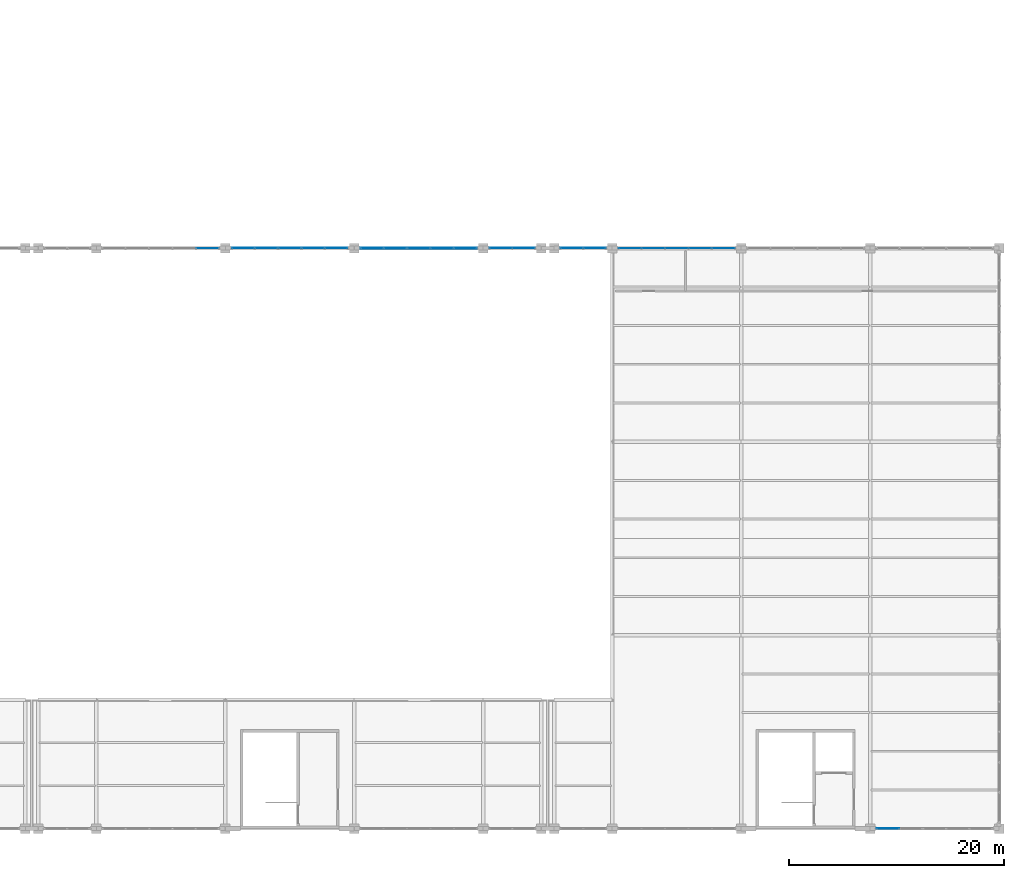
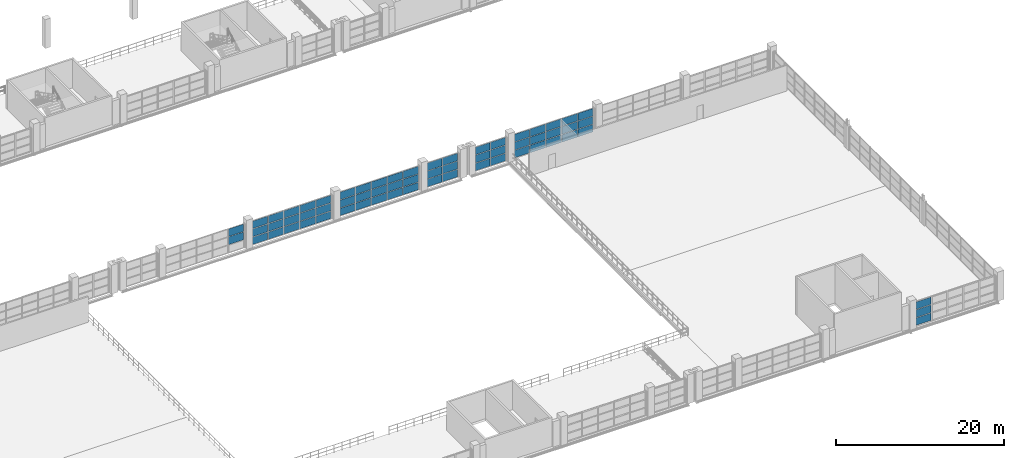
# One storey, part 131 of 158: 62 plates, 7 elements without a shape of their own.
"""IFC4 building model written with IfcOpenShell, lengths in metres."""

from ifc_helpers import new_model, si_unit, direction, frame, origin, origin_2d, place, context, subcontext, project, spatial, rectangle, extrude, material, layer, layer_set, type_object, element, aggregate, save


model = new_model("IFC4")

# Units and contexts
model_context = context("Model", 3, precision=1e-05, world=origin(), true_north=direction((0.0, 1.0)))
body_context = subcontext(model_context, "Body", "Model", "MODEL_VIEW")
ifc_project = project(units=[si_unit("LENGTHUNIT", "METRE"), si_unit("AREAUNIT", "SQUARE_METRE"), si_unit("VOLUMEUNIT", "CUBIC_METRE"), si_unit("PLANEANGLEUNIT", "RADIAN"), si_unit("MASSUNIT", "GRAM", prefix="KILO")], contexts=[model_context])

# Site, building, storey
site_placement = place(None, origin())
site = spatial("IfcSite", under=ifc_project, at=site_placement, CompositionType="ELEMENT")
building_placement = place(site_placement, origin())
building = spatial("IfcBuilding", under=site, at=building_placement, Name="Zilviju Railside Exhibition Hall", CompositionType="ELEMENT")
storey_placement = place(building_placement, frame((0.0, 0.0, 4.199951171875)))
storey = spatial("IfcBuildingStorey", under=building, at=storey_placement, Name="L02", CompositionType="ELEMENT", Elevation=4.199951171875)

# Curtain wall, plates
ifc_material_1 = material(Name="Thermally broken aluminium-steel triple-glazed curtain wall", Category="steel")
ifc_layer_1 = layer(ifc_material_1, 0.179931640625)
ifc_layer_set_1 = layer_set([ifc_layer_1], Name="Thermally broken aluminium-steel triple-glazed curtain wall")
curtain_wall_type_1 = type_object("IfcCurtainWallType", Name="CW-BAY-01", PredefinedType="USERDEFINED", material=ifc_layer_set_1)
curtain_wall_1_placement = place(storey_placement, origin())
curtain_wall_1 = element("IfcCurtainWall", 1, at=curtain_wall_1_placement, inside=storey, type_object=curtain_wall_type_1, Name="South Hall Garden Court Curtain Wall L02 (132..144)", ObjectType="GLAZED CURTAIN WALL", PredefinedType="USERDEFINED")
ifc_material_2 = material(Name="Laminated acoustic double-glazed porch unit", Category="glass")
ifc_layer_2 = layer(ifc_material_2, 0.031982421875)
ifc_layer_set_2 = layer_set([ifc_layer_2], Name="Laminated acoustic double-glazed porch unit")
plate_type_1 = type_object("IfcPlateType", Name="CWP-IGU-32", PredefinedType="CURTAIN_PANEL", material=ifc_layer_set_2)
plate_1_placement = place(storey_placement, frame((142.344970703125, 54.0, 1.217041015625), z_axis=(0.0, 0.0, 1.0), x_axis=(1.0, 0.0, 0.0)))
plate_1 = element("IfcPlate", 2, at=plate_1_placement, type_object=plate_type_1, Name="CW-01 panel 5.2", PredefinedType="CURTAIN_PANEL", context=body_context, shape_type="SweptSolid", body=[
    extrude(rectangle(XDim=2.090087890625, YDim=0.031982421875, at=origin_2d()), origin(), (0.0, 0.0, 1.0), 1.1259765625),
])
plate_2_placement = place(storey_placement, frame((142.344970703125, 54.0, 2.4033203125), z_axis=(0.0, 0.0, 1.0), x_axis=(1.0, 0.0, 0.0)))
plate_2 = element("IfcPlate", 3, at=plate_2_placement, type_object=plate_type_1, Name="CW-01 panel 5.3", PredefinedType="CURTAIN_PANEL", context=body_context, shape_type="SweptSolid", body=[
    extrude(rectangle(XDim=2.090087890625, YDim=0.031982421875, at=origin_2d()), origin(), (0.0, 0.0, 1.0), 1.096923828125),
])
aggregate(curtain_wall_1, [plate_1, plate_2])

ifc_layer_3 = layer(ifc_material_1, 0.179931640625)
ifc_layer_set_3 = layer_set([ifc_layer_3], Name="Thermally broken aluminium-steel triple-glazed curtain wall")
curtain_wall_type_2 = type_object("IfcCurtainWallType", Name="CW-BAY-06", PredefinedType="USERDEFINED", material=ifc_layer_set_3)
curtain_wall_2_placement = place(storey_placement, origin())
curtain_wall_2 = element("IfcCurtainWall", 4, at=curtain_wall_2_placement, inside=storey, type_object=curtain_wall_type_2, Name="South Hall Garden Court Curtain Wall L02 (180..192)", ObjectType="GLAZED CURTAIN WALL", PredefinedType="USERDEFINED")
ifc_material_3 = material(Name="Triple-glazed solar-control glass unit", Category="glass")
ifc_layer_4 = layer(ifc_material_3, 0.0380859375)
ifc_layer_set_4 = layer_set([ifc_layer_4], Name="Triple-glazed solar-control glass unit")
plate_type_2 = type_object("IfcPlateType", Name="CWP-IGU-38", PredefinedType="CURTAIN_PANEL", material=ifc_layer_set_4)
plate_3_placement = place(storey_placement, frame((181.65625, 54.0, 0.06494140625), z_axis=(0.0, 0.0, 1.0), x_axis=(1.0, 0.0, 0.0)))
plate_3 = element("IfcPlate", 5, at=plate_3_placement, type_object=plate_type_2, Name="CW-06 panel 1.1", PredefinedType="CURTAIN_PANEL", context=body_context, shape_type="SweptSolid", body=[
    extrude(rectangle(XDim=2.08251953125, YDim=0.0380859375, at=origin_2d()), origin(), (0.0, 0.0, 1.0), 1.089599609375),
])
plate_4_placement = place(storey_placement, frame((181.65625, 54.0, 1.219482421875), z_axis=(0.0, 0.0, 1.0), x_axis=(1.0, 0.0, 0.0)))
plate_4 = element("IfcPlate", 6, at=plate_4_placement, type_object=plate_type_2, Name="CW-06 panel 1.2", PredefinedType="CURTAIN_PANEL", context=body_context, shape_type="SweptSolid", body=[
    extrude(rectangle(XDim=2.08251953125, YDim=0.0380859375, at=origin_2d()), origin(), (0.0, 0.0, 1.0), 1.12109375),
])
plate_5_placement = place(storey_placement, frame((181.65625, 54.0, 2.4052734375), z_axis=(0.0, 0.0, 1.0), x_axis=(1.0, 0.0, 0.0)))
plate_5 = element("IfcPlate", 7, at=plate_5_placement, type_object=plate_type_2, Name="CW-06 panel 1.3", PredefinedType="CURTAIN_PANEL", context=body_context, shape_type="SweptSolid", body=[
    extrude(rectangle(XDim=2.08251953125, YDim=0.0380859375, at=origin_2d()), origin(), (0.0, 0.0, 1.0), 1.089599609375),
])
plate_6_placement = place(storey_placement, frame((183.820068359375, 54.0, 0.06494140625), z_axis=(0.0, 0.0, 1.0), x_axis=(1.0, 0.0, 0.0)))
plate_6 = element("IfcPlate", 8, at=plate_6_placement, type_object=plate_type_2, Name="CW-06 panel 2.1", PredefinedType="CURTAIN_PANEL", context=body_context, shape_type="SweptSolid", body=[
    extrude(rectangle(XDim=2.114990234375, YDim=0.0380859375, at=origin_2d()), origin(), (0.0, 0.0, 1.0), 1.089599609375),
])
plate_7_placement = place(storey_placement, frame((183.820068359375, 54.0, 1.219482421875), z_axis=(0.0, 0.0, 1.0), x_axis=(1.0, 0.0, 0.0)))
plate_7 = element("IfcPlate", 9, at=plate_7_placement, type_object=plate_type_2, Name="CW-06 panel 2.2", PredefinedType="CURTAIN_PANEL", context=body_context, shape_type="SweptSolid", body=[
    extrude(rectangle(XDim=2.114990234375, YDim=0.0380859375, at=origin_2d()), origin(), (0.0, 0.0, 1.0), 1.12109375),
])
plate_8_placement = place(storey_placement, frame((183.820068359375, 54.0, 2.4052734375), z_axis=(0.0, 0.0, 1.0), x_axis=(1.0, 0.0, 0.0)))
plate_8 = element("IfcPlate", 10, at=plate_8_placement, type_object=plate_type_2, Name="CW-06 panel 2.3", PredefinedType="CURTAIN_PANEL", context=body_context, shape_type="SweptSolid", body=[
    extrude(rectangle(XDim=2.114990234375, YDim=0.0380859375, at=origin_2d()), origin(), (0.0, 0.0, 1.0), 1.089599609375),
])
plate_9_placement = place(storey_placement, frame((186.0, 54.0, 0.06494140625), z_axis=(0.0, 0.0, 1.0), x_axis=(1.0, 0.0, 0.0)))
plate_9 = element("IfcPlate", 11, at=plate_9_placement, type_object=plate_type_2, Name="CW-06 panel 3.1", PredefinedType="CURTAIN_PANEL", context=body_context, shape_type="SweptSolid", body=[
    extrude(rectangle(XDim=2.114990234375, YDim=0.0380859375, at=origin_2d()), origin(), (0.0, 0.0, 1.0), 1.089599609375),
])
plate_10_placement = place(storey_placement, frame((186.0, 54.0, 1.219482421875), z_axis=(0.0, 0.0, 1.0), x_axis=(1.0, 0.0, 0.0)))
plate_10 = element("IfcPlate", 12, at=plate_10_placement, type_object=plate_type_2, Name="CW-06 panel 3.2", PredefinedType="CURTAIN_PANEL", context=body_context, shape_type="SweptSolid", body=[
    extrude(rectangle(XDim=2.114990234375, YDim=0.0380859375, at=origin_2d()), origin(), (0.0, 0.0, 1.0), 1.12109375),
])
plate_11_placement = place(storey_placement, frame((186.0, 54.0, 2.4052734375), z_axis=(0.0, 0.0, 1.0), x_axis=(1.0, 0.0, 0.0)))
plate_11 = element("IfcPlate", 13, at=plate_11_placement, type_object=plate_type_2, Name="CW-06 panel 3.3", PredefinedType="CURTAIN_PANEL", context=body_context, shape_type="SweptSolid", body=[
    extrude(rectangle(XDim=2.114990234375, YDim=0.0380859375, at=origin_2d()), origin(), (0.0, 0.0, 1.0), 1.089599609375),
])
plate_12_placement = place(storey_placement, frame((188.179931640625, 54.0, 0.06494140625), z_axis=(0.0, 0.0, 1.0), x_axis=(1.0, 0.0, 0.0)))
plate_12 = element("IfcPlate", 14, at=plate_12_placement, type_object=plate_type_2, Name="CW-06 panel 4.1", PredefinedType="CURTAIN_PANEL", context=body_context, shape_type="SweptSolid", body=[
    extrude(rectangle(XDim=2.114990234375, YDim=0.0380859375, at=origin_2d()), origin(), (0.0, 0.0, 1.0), 1.089599609375),
])
plate_13_placement = place(storey_placement, frame((188.179931640625, 54.0, 1.219482421875), z_axis=(0.0, 0.0, 1.0), x_axis=(1.0, 0.0, 0.0)))
plate_13 = element("IfcPlate", 15, at=plate_13_placement, type_object=plate_type_2, Name="CW-06 panel 4.2", PredefinedType="CURTAIN_PANEL", context=body_context, shape_type="SweptSolid", body=[
    extrude(rectangle(XDim=2.114990234375, YDim=0.0380859375, at=origin_2d()), origin(), (0.0, 0.0, 1.0), 1.12109375),
])
plate_14_placement = place(storey_placement, frame((188.179931640625, 54.0, 2.4052734375), z_axis=(0.0, 0.0, 1.0), x_axis=(1.0, 0.0, 0.0)))
plate_14 = element("IfcPlate", 16, at=plate_14_placement, type_object=plate_type_2, Name="CW-06 panel 4.3", PredefinedType="CURTAIN_PANEL", context=body_context, shape_type="SweptSolid", body=[
    extrude(rectangle(XDim=2.114990234375, YDim=0.0380859375, at=origin_2d()), origin(), (0.0, 0.0, 1.0), 1.089599609375),
])
plate_15_placement = place(storey_placement, frame((190.34375, 54.0, 0.06494140625), z_axis=(0.0, 0.0, 1.0), x_axis=(1.0, 0.0, 0.0)))
plate_15 = element("IfcPlate", 17, at=plate_15_placement, type_object=plate_type_2, Name="CW-06 panel 5.1", PredefinedType="CURTAIN_PANEL", context=body_context, shape_type="SweptSolid", body=[
    extrude(rectangle(XDim=2.08251953125, YDim=0.0380859375, at=origin_2d()), origin(), (0.0, 0.0, 1.0), 1.089599609375),
])
plate_16_placement = place(storey_placement, frame((190.34375, 54.0, 1.219482421875), z_axis=(0.0, 0.0, 1.0), x_axis=(1.0, 0.0, 0.0)))
plate_16 = element("IfcPlate", 18, at=plate_16_placement, type_object=plate_type_2, Name="CW-06 panel 5.2", PredefinedType="CURTAIN_PANEL", context=body_context, shape_type="SweptSolid", body=[
    extrude(rectangle(XDim=2.08251953125, YDim=0.0380859375, at=origin_2d()), origin(), (0.0, 0.0, 1.0), 1.12109375),
])
plate_17_placement = place(storey_placement, frame((190.34375, 54.0, 2.4052734375), z_axis=(0.0, 0.0, 1.0), x_axis=(1.0, 0.0, 0.0)))
plate_17 = element("IfcPlate", 19, at=plate_17_placement, type_object=plate_type_2, Name="CW-06 panel 5.3", PredefinedType="CURTAIN_PANEL", context=body_context, shape_type="SweptSolid", body=[
    extrude(rectangle(XDim=2.08251953125, YDim=0.0380859375, at=origin_2d()), origin(), (0.0, 0.0, 1.0), 1.089599609375),
])
aggregate(curtain_wall_2, [plate_3, plate_4, plate_5, plate_6, plate_7, plate_8, plate_9, plate_10, plate_11, plate_12, plate_13, plate_14, plate_15, plate_16, plate_17])

ifc_layer_5 = layer(ifc_material_1, 0.179931640625)
ifc_layer_set_5 = layer_set([ifc_layer_5], Name="Thermally broken aluminium-steel triple-glazed curtain wall")
curtain_wall_type_3 = type_object("IfcCurtainWallType", Name="CW-BAY-04", PredefinedType="USERDEFINED", material=ifc_layer_set_5)
curtain_wall_3_placement = place(storey_placement, origin())
curtain_wall_3 = element("IfcCurtainWall", 20, at=curtain_wall_3_placement, inside=storey, type_object=curtain_wall_type_3, Name="South Hall Garden Court Curtain Wall L02 (168..173)", ObjectType="GLAZED CURTAIN WALL", PredefinedType="USERDEFINED")
ifc_material_4 = material(Name="Triple-glazed low-E argon insulating glass unit", Category="glass")
ifc_layer_6 = layer(ifc_material_4, 0.0439453125)
ifc_layer_set_6 = layer_set([ifc_layer_6], Name="Triple-glazed low-E argon insulating glass unit")
plate_type_3 = type_object("IfcPlateType", Name="CWP-IGU-44", PredefinedType="CURTAIN_PANEL", material=ifc_layer_set_6)
plate_18_placement = place(storey_placement, frame((169.638671875, 54.0, 0.054931640625), z_axis=(0.0, 0.0, 1.0), x_axis=(1.0, 0.0, 0.0)))
plate_18 = element("IfcPlate", 21, at=plate_18_placement, type_object=plate_type_3, Name="CW-04 panel 1.1", PredefinedType="CURTAIN_PANEL", context=body_context, shape_type="SweptSolid", body=[
    extrude(rectangle(XDim=2.0673828125, YDim=0.0439453125, at=origin_2d()), origin(), (0.0, 0.0, 1.0), 1.1044921875),
])
plate_19_placement = place(storey_placement, frame((169.638671875, 54.0, 1.21435546875), z_axis=(0.0, 0.0, 1.0), x_axis=(1.0, 0.0, 0.0)))
plate_19 = element("IfcPlate", 22, at=plate_19_placement, type_object=plate_type_3, Name="CW-04 panel 1.2", PredefinedType="CURTAIN_PANEL", context=body_context, shape_type="SweptSolid", body=[
    extrude(rectangle(XDim=2.0673828125, YDim=0.0439453125, at=origin_2d()), origin(), (0.0, 0.0, 1.0), 1.131103515625),
])
plate_20_placement = place(storey_placement, frame((169.638671875, 54.0, 2.400634765625), z_axis=(0.0, 0.0, 1.0), x_axis=(1.0, 0.0, 0.0)))
plate_20 = element("IfcPlate", 23, at=plate_20_placement, type_object=plate_type_3, Name="CW-04 panel 1.3", PredefinedType="CURTAIN_PANEL", context=body_context, shape_type="SweptSolid", body=[
    extrude(rectangle(XDim=2.0673828125, YDim=0.0439453125, at=origin_2d()), origin(), (0.0, 0.0, 1.0), 1.1044921875),
])
plate_21_placement = place(storey_placement, frame((171.76123046875, 54.0, 0.054931640625), z_axis=(0.0, 0.0, 1.0), x_axis=(1.0, 0.0, 0.0)))
plate_21 = element("IfcPlate", 24, at=plate_21_placement, type_object=plate_type_3, Name="CW-04 panel 2.1", PredefinedType="CURTAIN_PANEL", context=body_context, shape_type="SweptSolid", body=[
    extrude(rectangle(XDim=2.0673828125, YDim=0.0439453125, at=origin_2d()), origin(), (0.0, 0.0, 1.0), 1.1044921875),
])
plate_22_placement = place(storey_placement, frame((171.76123046875, 54.0, 1.21435546875), z_axis=(0.0, 0.0, 1.0), x_axis=(1.0, 0.0, 0.0)))
plate_22 = element("IfcPlate", 25, at=plate_22_placement, type_object=plate_type_3, Name="CW-04 panel 2.2", PredefinedType="CURTAIN_PANEL", context=body_context, shape_type="SweptSolid", body=[
    extrude(rectangle(XDim=2.0673828125, YDim=0.0439453125, at=origin_2d()), origin(), (0.0, 0.0, 1.0), 1.131103515625),
])
plate_23_placement = place(storey_placement, frame((171.76123046875, 54.0, 2.400634765625), z_axis=(0.0, 0.0, 1.0), x_axis=(1.0, 0.0, 0.0)))
plate_23 = element("IfcPlate", 26, at=plate_23_placement, type_object=plate_type_3, Name="CW-04 panel 2.3", PredefinedType="CURTAIN_PANEL", context=body_context, shape_type="SweptSolid", body=[
    extrude(rectangle(XDim=2.0673828125, YDim=0.0439453125, at=origin_2d()), origin(), (0.0, 0.0, 1.0), 1.1044921875),
])
aggregate(curtain_wall_3, [plate_18, plate_19, plate_20, plate_21, plate_22, plate_23])

ifc_layer_7 = layer(ifc_material_1, 0.179931640625)
ifc_layer_set_7 = layer_set([ifc_layer_7], Name="Thermally broken aluminium-steel triple-glazed curtain wall")
curtain_wall_type_4 = type_object("IfcCurtainWallType", Name="CW-BAY-05", PredefinedType="USERDEFINED", material=ifc_layer_set_7)
curtain_wall_4_placement = place(storey_placement, origin())
curtain_wall_4 = element("IfcCurtainWall", 27, at=curtain_wall_4_placement, inside=storey, type_object=curtain_wall_type_4, Name="South Hall Garden Court Curtain Wall L02 (175..180)", ObjectType="GLAZED CURTAIN WALL", PredefinedType="USERDEFINED")
plate_24_placement = place(storey_placement, frame((176.242431640625, 54.0, 0.070068359375), z_axis=(0.0, 0.0, 1.0), x_axis=(1.0, 0.0, 0.0)))
plate_24 = element("IfcPlate", 28, at=plate_24_placement, type_object=plate_type_3, Name="CW-05 panel 1.1", PredefinedType="CURTAIN_PANEL", context=body_context, shape_type="SweptSolid", body=[
    extrude(rectangle(XDim=2.044921875, YDim=0.0439453125, at=origin_2d()), origin(), (0.0, 0.0, 1.0), 1.08203125),
])
plate_25_placement = place(storey_placement, frame((176.242431640625, 54.0, 1.22216796875), z_axis=(0.0, 0.0, 1.0), x_axis=(1.0, 0.0, 0.0)))
plate_25 = element("IfcPlate", 29, at=plate_25_placement, type_object=plate_type_3, Name="CW-05 panel 1.2", PredefinedType="CURTAIN_PANEL", context=body_context, shape_type="SweptSolid", body=[
    extrude(rectangle(XDim=2.044921875, YDim=0.0439453125, at=origin_2d()), origin(), (0.0, 0.0, 1.0), 1.115966796875),
])
plate_26_placement = place(storey_placement, frame((176.242431640625, 54.0, 2.407958984375), z_axis=(0.0, 0.0, 1.0), x_axis=(1.0, 0.0, 0.0)))
plate_26 = element("IfcPlate", 30, at=plate_26_placement, type_object=plate_type_3, Name="CW-05 panel 1.3", PredefinedType="CURTAIN_PANEL", context=body_context, shape_type="SweptSolid", body=[
    extrude(rectangle(XDim=2.044921875, YDim=0.0439453125, at=origin_2d()), origin(), (0.0, 0.0, 1.0), 1.08203125),
])
plate_27_placement = place(storey_placement, frame((178.357421875, 54.0, 0.070068359375), z_axis=(0.0, 0.0, 1.0), x_axis=(1.0, 0.0, 0.0)))
plate_27 = element("IfcPlate", 31, at=plate_27_placement, type_object=plate_type_3, Name="CW-05 panel 2.1", PredefinedType="CURTAIN_PANEL", context=body_context, shape_type="SweptSolid", body=[
    extrude(rectangle(XDim=2.044921875, YDim=0.0439453125, at=origin_2d()), origin(), (0.0, 0.0, 1.0), 1.08203125),
])
plate_28_placement = place(storey_placement, frame((178.357421875, 54.0, 1.22216796875), z_axis=(0.0, 0.0, 1.0), x_axis=(1.0, 0.0, 0.0)))
plate_28 = element("IfcPlate", 32, at=plate_28_placement, type_object=plate_type_3, Name="CW-05 panel 2.2", PredefinedType="CURTAIN_PANEL", context=body_context, shape_type="SweptSolid", body=[
    extrude(rectangle(XDim=2.044921875, YDim=0.0439453125, at=origin_2d()), origin(), (0.0, 0.0, 1.0), 1.115966796875),
])
plate_29_placement = place(storey_placement, frame((178.357421875, 54.0, 2.407958984375), z_axis=(0.0, 0.0, 1.0), x_axis=(1.0, 0.0, 0.0)))
plate_29 = element("IfcPlate", 33, at=plate_29_placement, type_object=plate_type_3, Name="CW-05 panel 2.3", PredefinedType="CURTAIN_PANEL", context=body_context, shape_type="SweptSolid", body=[
    extrude(rectangle(XDim=2.044921875, YDim=0.0439453125, at=origin_2d()), origin(), (0.0, 0.0, 1.0), 1.08203125),
])
aggregate(curtain_wall_4, [plate_24, plate_25, plate_26, plate_27, plate_28, plate_29])

ifc_layer_8 = layer(ifc_material_1, 0.179931640625)
ifc_layer_set_8 = layer_set([ifc_layer_8], Name="Thermally broken aluminium-steel triple-glazed curtain wall")
curtain_wall_type_5 = type_object("IfcCurtainWallType", Name="CW-BAY-16", PredefinedType="USERDEFINED", material=ifc_layer_set_8)
curtain_wall_5_placement = place(storey_placement, origin())
curtain_wall_5 = element("IfcCurtainWall", 34, at=curtain_wall_5_placement, inside=storey, type_object=curtain_wall_type_5, Name="South Hall Facade Curtain Wall L02 (204..216)", ObjectType="GLAZED CURTAIN WALL", PredefinedType="USERDEFINED")
ifc_material_5 = material(Name="Insulated cobalt-blue enamelled spandrel glass panel", Category="glass")
ifc_layer_9 = layer(ifc_material_5, 0.052001953125)
ifc_layer_set_9 = layer_set([ifc_layer_9], Name="Insulated cobalt-blue enamelled spandrel glass panel")
plate_type_4 = type_object("IfcPlateType", Name="CWP-SPD-52", PredefinedType="CURTAIN_PANEL", material=ifc_layer_set_9)
plate_30_placement = place(storey_placement, frame((205.659912109375, 0.0, 0.080078125), z_axis=(0.0, 0.0, 1.0), x_axis=(-1.0, 0.0, 0.0)))
plate_30 = element("IfcPlate", 35, at=plate_30_placement, type_object=plate_type_4, Name="CW-16 panel 5.1", PredefinedType="CURTAIN_PANEL", context=body_context, shape_type="SweptSolid", body=[
    extrude(rectangle(XDim=2.06005859375, YDim=0.052001953125, at=origin_2d()), origin(), (0.0, 0.0, 1.0), 1.06689453125),
])
plate_31_placement = place(storey_placement, frame((205.659912109375, 0.0, 1.22705078125), z_axis=(0.0, 0.0, 1.0), x_axis=(-1.0, 0.0, 0.0)))
plate_31 = element("IfcPlate", 36, at=plate_31_placement, type_object=plate_type_4, Name="CW-16 panel 5.2", PredefinedType="CURTAIN_PANEL", context=body_context, shape_type="SweptSolid", body=[
    extrude(rectangle(XDim=2.06005859375, YDim=0.052001953125, at=origin_2d()), origin(), (0.0, 0.0, 1.0), 1.10595703125),
])
plate_32_placement = place(storey_placement, frame((205.659912109375, 0.0, 2.4130859375), z_axis=(0.0, 0.0, 1.0), x_axis=(-1.0, 0.0, 0.0)))
plate_32 = element("IfcPlate", 37, at=plate_32_placement, type_object=plate_type_4, Name="CW-16 panel 5.3", PredefinedType="CURTAIN_PANEL", context=body_context, shape_type="SweptSolid", body=[
    extrude(rectangle(XDim=2.06005859375, YDim=0.052001953125, at=origin_2d()), origin(), (0.0, 0.0, 1.0), 1.06689453125),
])
aggregate(curtain_wall_5, [plate_30, plate_31, plate_32])

ifc_layer_10 = layer(ifc_material_1, 0.179931640625)
ifc_layer_set_10 = layer_set([ifc_layer_10], Name="Thermally broken aluminium-steel triple-glazed curtain wall")
curtain_wall_type_6 = type_object("IfcCurtainWallType", Name="CW-BAY-02", PredefinedType="USERDEFINED", material=ifc_layer_set_10)
curtain_wall_6_placement = place(storey_placement, origin())
curtain_wall_6 = element("IfcCurtainWall", 38, at=curtain_wall_6_placement, inside=storey, type_object=curtain_wall_type_6, Name="South Hall Garden Court Curtain Wall L02 (144..156)", ObjectType="GLAZED CURTAIN WALL", PredefinedType="USERDEFINED")
plate_33_placement = place(storey_placement, frame((145.659912109375, 54.0, 0.080078125), z_axis=(0.0, 0.0, 1.0), x_axis=(1.0, 0.0, 0.0)))
plate_33 = element("IfcPlate", 39, at=plate_33_placement, type_object=plate_type_4, Name="CW-02 panel 1.1", PredefinedType="CURTAIN_PANEL", context=body_context, shape_type="SweptSolid", body=[
    extrude(rectangle(XDim=2.06005859375, YDim=0.052001953125, at=origin_2d()), origin(), (0.0, 0.0, 1.0), 1.06689453125),
])
plate_34_placement = place(storey_placement, frame((145.659912109375, 54.0, 1.22705078125), z_axis=(0.0, 0.0, 1.0), x_axis=(1.0, 0.0, 0.0)))
plate_34 = element("IfcPlate", 40, at=plate_34_placement, type_object=plate_type_4, Name="CW-02 panel 1.2", PredefinedType="CURTAIN_PANEL", context=body_context, shape_type="SweptSolid", body=[
    extrude(rectangle(XDim=2.06005859375, YDim=0.052001953125, at=origin_2d()), origin(), (0.0, 0.0, 1.0), 1.10595703125),
])
plate_35_placement = place(storey_placement, frame((145.659912109375, 54.0, 2.4130859375), z_axis=(0.0, 0.0, 1.0), x_axis=(1.0, 0.0, 0.0)))
plate_35 = element("IfcPlate", 41, at=plate_35_placement, type_object=plate_type_4, Name="CW-02 panel 1.3", PredefinedType="CURTAIN_PANEL", context=body_context, shape_type="SweptSolid", body=[
    extrude(rectangle(XDim=2.06005859375, YDim=0.052001953125, at=origin_2d()), origin(), (0.0, 0.0, 1.0), 1.06689453125),
])
plate_36_placement = place(storey_placement, frame((147.820068359375, 54.0, 0.080078125), z_axis=(0.0, 0.0, 1.0), x_axis=(1.0, 0.0, 0.0)))
plate_36 = element("IfcPlate", 42, at=plate_36_placement, type_object=plate_type_4, Name="CW-02 panel 2.1", PredefinedType="CURTAIN_PANEL", context=body_context, shape_type="SweptSolid", body=[
    extrude(rectangle(XDim=2.10009765625, YDim=0.052001953125, at=origin_2d()), origin(), (0.0, 0.0, 1.0), 1.06689453125),
])
plate_37_placement = place(storey_placement, frame((147.820068359375, 54.0, 1.22705078125), z_axis=(0.0, 0.0, 1.0), x_axis=(1.0, 0.0, 0.0)))
plate_37 = element("IfcPlate", 43, at=plate_37_placement, type_object=plate_type_4, Name="CW-02 panel 2.2", PredefinedType="CURTAIN_PANEL", context=body_context, shape_type="SweptSolid", body=[
    extrude(rectangle(XDim=2.10009765625, YDim=0.052001953125, at=origin_2d()), origin(), (0.0, 0.0, 1.0), 1.10595703125),
])
plate_38_placement = place(storey_placement, frame((147.820068359375, 54.0, 2.4130859375), z_axis=(0.0, 0.0, 1.0), x_axis=(1.0, 0.0, 0.0)))
plate_38 = element("IfcPlate", 44, at=plate_38_placement, type_object=plate_type_4, Name="CW-02 panel 2.3", PredefinedType="CURTAIN_PANEL", context=body_context, shape_type="SweptSolid", body=[
    extrude(rectangle(XDim=2.10009765625, YDim=0.052001953125, at=origin_2d()), origin(), (0.0, 0.0, 1.0), 1.06689453125),
])
plate_39_placement = place(storey_placement, frame((150.0, 54.0, 0.080078125), z_axis=(0.0, 0.0, 1.0), x_axis=(1.0, 0.0, 0.0)))
plate_39 = element("IfcPlate", 45, at=plate_39_placement, type_object=plate_type_4, Name="CW-02 panel 3.1", PredefinedType="CURTAIN_PANEL", context=body_context, shape_type="SweptSolid", body=[
    extrude(rectangle(XDim=2.10009765625, YDim=0.052001953125, at=origin_2d()), origin(), (0.0, 0.0, 1.0), 1.06689453125),
])
plate_40_placement = place(storey_placement, frame((150.0, 54.0, 1.22705078125), z_axis=(0.0, 0.0, 1.0), x_axis=(1.0, 0.0, 0.0)))
plate_40 = element("IfcPlate", 46, at=plate_40_placement, type_object=plate_type_4, Name="CW-02 panel 3.2", PredefinedType="CURTAIN_PANEL", context=body_context, shape_type="SweptSolid", body=[
    extrude(rectangle(XDim=2.10009765625, YDim=0.052001953125, at=origin_2d()), origin(), (0.0, 0.0, 1.0), 1.10595703125),
])
plate_41_placement = place(storey_placement, frame((150.0, 54.0, 2.4130859375), z_axis=(0.0, 0.0, 1.0), x_axis=(1.0, 0.0, 0.0)))
plate_41 = element("IfcPlate", 47, at=plate_41_placement, type_object=plate_type_4, Name="CW-02 panel 3.3", PredefinedType="CURTAIN_PANEL", context=body_context, shape_type="SweptSolid", body=[
    extrude(rectangle(XDim=2.10009765625, YDim=0.052001953125, at=origin_2d()), origin(), (0.0, 0.0, 1.0), 1.06689453125),
])
plate_42_placement = place(storey_placement, frame((152.179931640625, 54.0, 0.080078125), z_axis=(0.0, 0.0, 1.0), x_axis=(1.0, 0.0, 0.0)))
plate_42 = element("IfcPlate", 48, at=plate_42_placement, type_object=plate_type_4, Name="CW-02 panel 4.1", PredefinedType="CURTAIN_PANEL", context=body_context, shape_type="SweptSolid", body=[
    extrude(rectangle(XDim=2.10009765625, YDim=0.052001953125, at=origin_2d()), origin(), (0.0, 0.0, 1.0), 1.06689453125),
])
plate_43_placement = place(storey_placement, frame((152.179931640625, 54.0, 1.22705078125), z_axis=(0.0, 0.0, 1.0), x_axis=(1.0, 0.0, 0.0)))
plate_43 = element("IfcPlate", 49, at=plate_43_placement, type_object=plate_type_4, Name="CW-02 panel 4.2", PredefinedType="CURTAIN_PANEL", context=body_context, shape_type="SweptSolid", body=[
    extrude(rectangle(XDim=2.10009765625, YDim=0.052001953125, at=origin_2d()), origin(), (0.0, 0.0, 1.0), 1.10595703125),
])
plate_44_placement = place(storey_placement, frame((152.179931640625, 54.0, 2.4130859375), z_axis=(0.0, 0.0, 1.0), x_axis=(1.0, 0.0, 0.0)))
plate_44 = element("IfcPlate", 50, at=plate_44_placement, type_object=plate_type_4, Name="CW-02 panel 4.3", PredefinedType="CURTAIN_PANEL", context=body_context, shape_type="SweptSolid", body=[
    extrude(rectangle(XDim=2.10009765625, YDim=0.052001953125, at=origin_2d()), origin(), (0.0, 0.0, 1.0), 1.06689453125),
])
plate_45_placement = place(storey_placement, frame((154.340087890625, 54.0, 0.080078125), z_axis=(0.0, 0.0, 1.0), x_axis=(1.0, 0.0, 0.0)))
plate_45 = element("IfcPlate", 51, at=plate_45_placement, type_object=plate_type_4, Name="CW-02 panel 5.1", PredefinedType="CURTAIN_PANEL", context=body_context, shape_type="SweptSolid", body=[
    extrude(rectangle(XDim=2.06005859375, YDim=0.052001953125, at=origin_2d()), origin(), (0.0, 0.0, 1.0), 1.06689453125),
])
plate_46_placement = place(storey_placement, frame((154.340087890625, 54.0, 1.22705078125), z_axis=(0.0, 0.0, 1.0), x_axis=(1.0, 0.0, 0.0)))
plate_46 = element("IfcPlate", 52, at=plate_46_placement, type_object=plate_type_4, Name="CW-02 panel 5.2", PredefinedType="CURTAIN_PANEL", context=body_context, shape_type="SweptSolid", body=[
    extrude(rectangle(XDim=2.06005859375, YDim=0.052001953125, at=origin_2d()), origin(), (0.0, 0.0, 1.0), 1.10595703125),
])
plate_47_placement = place(storey_placement, frame((154.340087890625, 54.0, 2.4130859375), z_axis=(0.0, 0.0, 1.0), x_axis=(1.0, 0.0, 0.0)))
plate_47 = element("IfcPlate", 53, at=plate_47_placement, type_object=plate_type_4, Name="CW-02 panel 5.3", PredefinedType="CURTAIN_PANEL", context=body_context, shape_type="SweptSolid", body=[
    extrude(rectangle(XDim=2.06005859375, YDim=0.052001953125, at=origin_2d()), origin(), (0.0, 0.0, 1.0), 1.06689453125),
])
aggregate(curtain_wall_6, [plate_33, plate_34, plate_35, plate_36, plate_37, plate_38, plate_39, plate_40, plate_41, plate_42, plate_43, plate_44, plate_45, plate_46, plate_47])

ifc_layer_11 = layer(ifc_material_1, 0.179931640625)
ifc_layer_set_11 = layer_set([ifc_layer_11], Name="Thermally broken aluminium-steel triple-glazed curtain wall")
curtain_wall_type_7 = type_object("IfcCurtainWallType", Name="CW-BAY-03", PredefinedType="USERDEFINED", material=ifc_layer_set_11)
curtain_wall_7_placement = place(storey_placement, origin())
curtain_wall_7 = element("IfcCurtainWall", 54, at=curtain_wall_7_placement, inside=storey, type_object=curtain_wall_type_7, Name="South Hall Garden Court Curtain Wall L02 (156..168)", ObjectType="GLAZED CURTAIN WALL", PredefinedType="USERDEFINED")
ifc_material_6 = material(Name="Insulated emerald ceramic-frit spandrel panel", Category="glass")
ifc_layer_12 = layer(ifc_material_6, 0.06396484375)
ifc_layer_set_12 = layer_set([ifc_layer_12], Name="Insulated emerald ceramic-frit spandrel panel")
plate_type_5 = type_object("IfcPlateType", Name="CWP-SPD-64", PredefinedType="CURTAIN_PANEL", material=ifc_layer_set_12)
plate_48_placement = place(storey_placement, frame((157.65869140625, 54.0, 0.0751953125), z_axis=(0.0, 0.0, 1.0), x_axis=(1.0, 0.0, 0.0)))
plate_48 = element("IfcPlate", 55, at=plate_48_placement, type_object=plate_type_5, Name="CW-03 panel 1.1", PredefinedType="CURTAIN_PANEL", context=body_context, shape_type="SweptSolid", body=[
    extrude(rectangle(XDim=2.0673828125, YDim=0.06396484375, at=origin_2d()), origin(), (0.0, 0.0, 1.0), 1.074462890625),
])
plate_49_placement = place(storey_placement, frame((157.65869140625, 54.0, 1.224609375), z_axis=(0.0, 0.0, 1.0), x_axis=(1.0, 0.0, 0.0)))
plate_49 = element("IfcPlate", 56, at=plate_49_placement, type_object=plate_type_5, Name="CW-03 panel 1.2", PredefinedType="CURTAIN_PANEL", context=body_context, shape_type="SweptSolid", body=[
    extrude(rectangle(XDim=2.0673828125, YDim=0.06396484375, at=origin_2d()), origin(), (0.0, 0.0, 1.0), 1.111083984375),
])
plate_50_placement = place(storey_placement, frame((157.65869140625, 54.0, 2.41064453125), z_axis=(0.0, 0.0, 1.0), x_axis=(1.0, 0.0, 0.0)))
plate_50 = element("IfcPlate", 57, at=plate_50_placement, type_object=plate_type_5, Name="CW-03 panel 1.3", PredefinedType="CURTAIN_PANEL", context=body_context, shape_type="SweptSolid", body=[
    extrude(rectangle(XDim=2.0673828125, YDim=0.06396484375, at=origin_2d()), origin(), (0.0, 0.0, 1.0), 1.074462890625),
])
plate_51_placement = place(storey_placement, frame((159.820068359375, 54.0, 0.0751953125), z_axis=(0.0, 0.0, 1.0), x_axis=(1.0, 0.0, 0.0)))
plate_51 = element("IfcPlate", 58, at=plate_51_placement, type_object=plate_type_5, Name="CW-03 panel 2.1", PredefinedType="CURTAIN_PANEL", context=body_context, shape_type="SweptSolid", body=[
    extrude(rectangle(XDim=2.10498046875, YDim=0.06396484375, at=origin_2d()), origin(), (0.0, 0.0, 1.0), 1.074462890625),
])
plate_52_placement = place(storey_placement, frame((159.820068359375, 54.0, 1.224609375), z_axis=(0.0, 0.0, 1.0), x_axis=(1.0, 0.0, 0.0)))
plate_52 = element("IfcPlate", 59, at=plate_52_placement, type_object=plate_type_5, Name="CW-03 panel 2.2", PredefinedType="CURTAIN_PANEL", context=body_context, shape_type="SweptSolid", body=[
    extrude(rectangle(XDim=2.10498046875, YDim=0.06396484375, at=origin_2d()), origin(), (0.0, 0.0, 1.0), 1.111083984375),
])
plate_53_placement = place(storey_placement, frame((159.820068359375, 54.0, 2.41064453125), z_axis=(0.0, 0.0, 1.0), x_axis=(1.0, 0.0, 0.0)))
plate_53 = element("IfcPlate", 60, at=plate_53_placement, type_object=plate_type_5, Name="CW-03 panel 2.3", PredefinedType="CURTAIN_PANEL", context=body_context, shape_type="SweptSolid", body=[
    extrude(rectangle(XDim=2.10498046875, YDim=0.06396484375, at=origin_2d()), origin(), (0.0, 0.0, 1.0), 1.074462890625),
])
plate_54_placement = place(storey_placement, frame((162.0, 54.0, 0.0751953125), z_axis=(0.0, 0.0, 1.0), x_axis=(1.0, 0.0, 0.0)))
plate_54 = element("IfcPlate", 61, at=plate_54_placement, type_object=plate_type_5, Name="CW-03 panel 3.1", PredefinedType="CURTAIN_PANEL", context=body_context, shape_type="SweptSolid", body=[
    extrude(rectangle(XDim=2.10498046875, YDim=0.06396484375, at=origin_2d()), origin(), (0.0, 0.0, 1.0), 1.074462890625),
])
plate_55_placement = place(storey_placement, frame((162.0, 54.0, 1.224609375), z_axis=(0.0, 0.0, 1.0), x_axis=(1.0, 0.0, 0.0)))
plate_55 = element("IfcPlate", 62, at=plate_55_placement, type_object=plate_type_5, Name="CW-03 panel 3.2", PredefinedType="CURTAIN_PANEL", context=body_context, shape_type="SweptSolid", body=[
    extrude(rectangle(XDim=2.10498046875, YDim=0.06396484375, at=origin_2d()), origin(), (0.0, 0.0, 1.0), 1.111083984375),
])
plate_56_placement = place(storey_placement, frame((162.0, 54.0, 2.41064453125), z_axis=(0.0, 0.0, 1.0), x_axis=(1.0, 0.0, 0.0)))
plate_56 = element("IfcPlate", 63, at=plate_56_placement, type_object=plate_type_5, Name="CW-03 panel 3.3", PredefinedType="CURTAIN_PANEL", context=body_context, shape_type="SweptSolid", body=[
    extrude(rectangle(XDim=2.10498046875, YDim=0.06396484375, at=origin_2d()), origin(), (0.0, 0.0, 1.0), 1.074462890625),
])
plate_57_placement = place(storey_placement, frame((164.179931640625, 54.0, 0.0751953125), z_axis=(0.0, 0.0, 1.0), x_axis=(1.0, 0.0, 0.0)))
plate_57 = element("IfcPlate", 64, at=plate_57_placement, type_object=plate_type_5, Name="CW-03 panel 4.1", PredefinedType="CURTAIN_PANEL", context=body_context, shape_type="SweptSolid", body=[
    extrude(rectangle(XDim=2.10498046875, YDim=0.06396484375, at=origin_2d()), origin(), (0.0, 0.0, 1.0), 1.074462890625),
])
plate_58_placement = place(storey_placement, frame((164.179931640625, 54.0, 1.224609375), z_axis=(0.0, 0.0, 1.0), x_axis=(1.0, 0.0, 0.0)))
plate_58 = element("IfcPlate", 65, at=plate_58_placement, type_object=plate_type_5, Name="CW-03 panel 4.2", PredefinedType="CURTAIN_PANEL", context=body_context, shape_type="SweptSolid", body=[
    extrude(rectangle(XDim=2.10498046875, YDim=0.06396484375, at=origin_2d()), origin(), (0.0, 0.0, 1.0), 1.111083984375),
])
plate_59_placement = place(storey_placement, frame((164.179931640625, 54.0, 2.41064453125), z_axis=(0.0, 0.0, 1.0), x_axis=(1.0, 0.0, 0.0)))
plate_59 = element("IfcPlate", 66, at=plate_59_placement, type_object=plate_type_5, Name="CW-03 panel 4.3", PredefinedType="CURTAIN_PANEL", context=body_context, shape_type="SweptSolid", body=[
    extrude(rectangle(XDim=2.10498046875, YDim=0.06396484375, at=origin_2d()), origin(), (0.0, 0.0, 1.0), 1.074462890625),
])
plate_60_placement = place(storey_placement, frame((166.34130859375, 54.0, 0.0751953125), z_axis=(0.0, 0.0, 1.0), x_axis=(1.0, 0.0, 0.0)))
plate_60 = element("IfcPlate", 67, at=plate_60_placement, type_object=plate_type_5, Name="CW-03 panel 5.1", PredefinedType="CURTAIN_PANEL", context=body_context, shape_type="SweptSolid", body=[
    extrude(rectangle(XDim=2.0673828125, YDim=0.06396484375, at=origin_2d()), origin(), (0.0, 0.0, 1.0), 1.074462890625),
])
plate_61_placement = place(storey_placement, frame((166.34130859375, 54.0, 1.224609375), z_axis=(0.0, 0.0, 1.0), x_axis=(1.0, 0.0, 0.0)))
plate_61 = element("IfcPlate", 68, at=plate_61_placement, type_object=plate_type_5, Name="CW-03 panel 5.2", PredefinedType="CURTAIN_PANEL", context=body_context, shape_type="SweptSolid", body=[
    extrude(rectangle(XDim=2.0673828125, YDim=0.06396484375, at=origin_2d()), origin(), (0.0, 0.0, 1.0), 1.111083984375),
])
plate_62_placement = place(storey_placement, frame((166.34130859375, 54.0, 2.41064453125), z_axis=(0.0, 0.0, 1.0), x_axis=(1.0, 0.0, 0.0)))
plate_62 = element("IfcPlate", 69, at=plate_62_placement, type_object=plate_type_5, Name="CW-03 panel 5.3", PredefinedType="CURTAIN_PANEL", context=body_context, shape_type="SweptSolid", body=[
    extrude(rectangle(XDim=2.0673828125, YDim=0.06396484375, at=origin_2d()), origin(), (0.0, 0.0, 1.0), 1.074462890625),
])
aggregate(curtain_wall_7, [plate_48, plate_49, plate_50, plate_51, plate_52, plate_53, plate_54, plate_55, plate_56, plate_57, plate_58, plate_59, plate_60, plate_61, plate_62])

save(model, "model.ifc")
